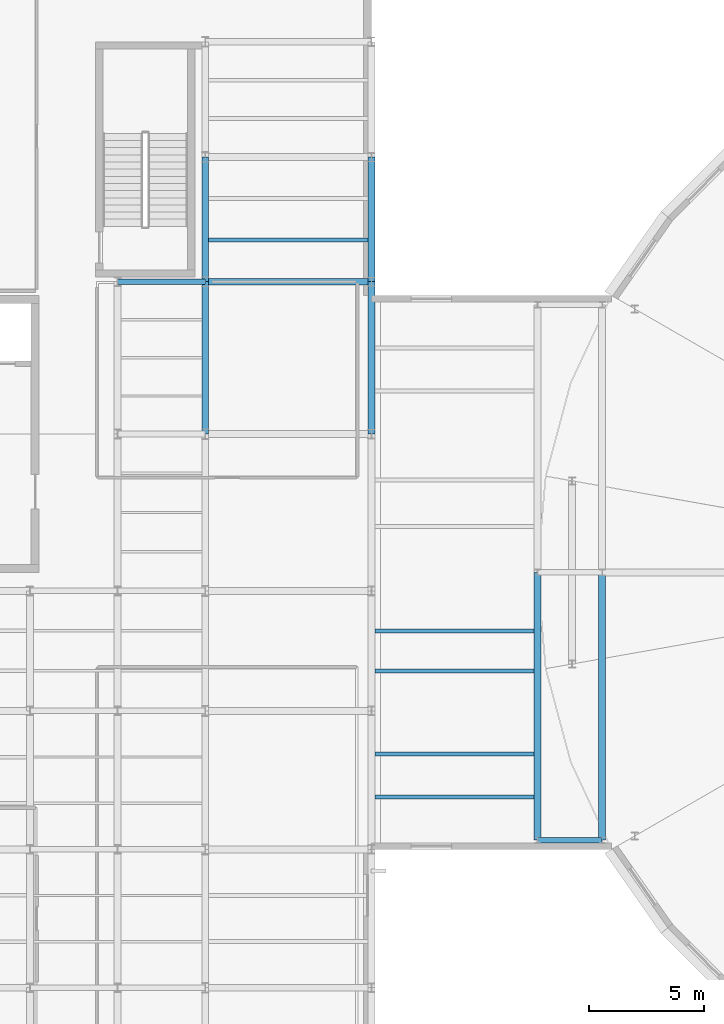
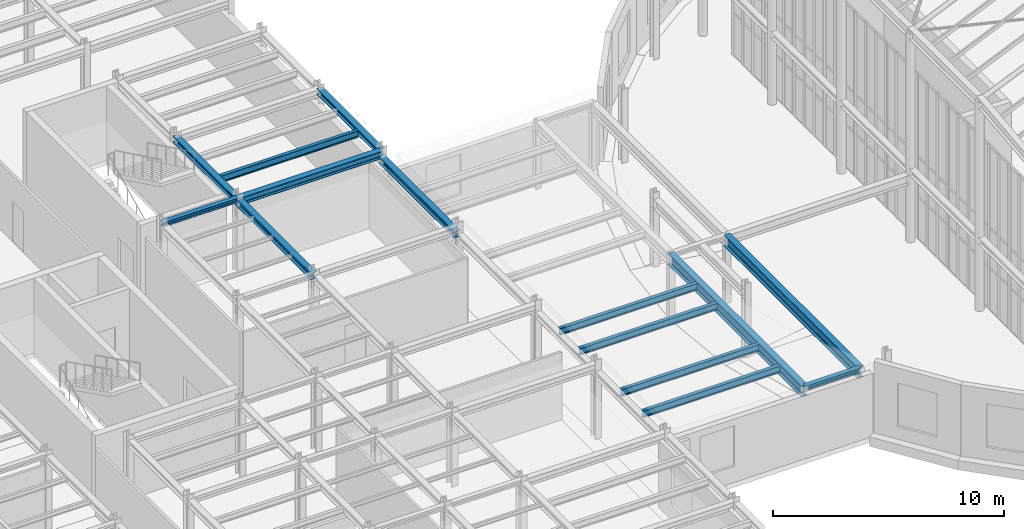
# One storey, part 18 of 75: 14 beams.
"""IFC4 building model written with IfcOpenShell, lengths in metres."""

from ifc_helpers import new_model, si_unit, direction, frame, origin, origin_2d, place, context, subcontext, project, spatial, i_section, extrude, material, material_profile, profile_set, type_object, element, save


model = new_model("IFC4")

# Units and contexts
model_context = context("Model", 3, precision=1e-05, world=origin(), true_north=direction((0.0, 1.0)))
body_context = subcontext(model_context, "Body", "Model", "MODEL_VIEW")
ifc_project = project(units=[si_unit("LENGTHUNIT", "METRE"), si_unit("AREAUNIT", "SQUARE_METRE"), si_unit("VOLUMEUNIT", "CUBIC_METRE"), si_unit("PLANEANGLEUNIT", "RADIAN"), si_unit("MASSUNIT", "GRAM", prefix="KILO")], contexts=[model_context])

# Site, building, storey
site_placement = place(None, origin())
site = spatial("IfcSite", under=ifc_project, at=site_placement, CompositionType="ELEMENT")
building_placement = place(site_placement, origin())
building = spatial("IfcBuilding", under=site, at=building_placement, Name="Kolvaren Corner Interchange", CompositionType="ELEMENT")
storey_placement = place(building_placement, frame((0.0, 0.0, 10.5)))
storey = spatial("IfcBuildingStorey", under=building, at=storey_placement, Name="L03", CompositionType="ELEMENT", Elevation=10.5)

# Beams
ifc_material_1 = material(Name="Steel S355", Category="steel")
ifc_material_profile_1 = material_profile(ifc_material_1, i_section(OverallWidth=0.239990234375, OverallDepth=0.22998046875, WebThickness=0.007568359375, FlangeThickness=0.011962890625, FilletRadius=0.02099609375, at=origin_2d()), Name="HEA 240")
ifc_profile_set_1 = profile_set([ifc_material_profile_1], Name="Steel S355")
beam_type_1 = type_object("IfcBeamType", Name="BM-HEA240", PredefinedType="BEAM", material=ifc_profile_set_1)
beam_1_placement = place(storey_placement, frame((36.0, 36.39990234375, 3.485107421875), z_axis=(1.0, 0.0, 0.0), x_axis=(0.0, 1.0, 0.0)))
element("IfcBeam", 1, at=beam_1_placement, inside=storey, type_object=beam_type_1, Name="Storey L03 Grid X Primary Girder 0855", PredefinedType="BEAM", context=body_context, shape_type="SweptSolid", body=[
    extrude(i_section(OverallWidth=0.239990234375, OverallDepth=0.22998046875, WebThickness=0.007568359375, FlangeThickness=0.011962890625, FilletRadius=0.02099609375, at=origin_2d()), origin(), (0.0, 0.0, 1.0), 2.800048828125),
])
beam_2_placement = place(storey_placement, frame((17.800048828125, 60.60009765625, 3.8349609375), z_axis=(1.0, 0.0, 0.0), x_axis=(0.0, 1.0, 0.0)))
element("IfcBeam", 2, at=beam_2_placement, inside=storey, type_object=beam_type_1, Name="Storey L03 Grid X Primary Girder 0869", PredefinedType="BEAM", context=body_context, shape_type="SweptSolid", body=[
    extrude(i_section(OverallWidth=0.239990234375, OverallDepth=0.22998046875, WebThickness=0.007568359375, FlangeThickness=0.011962890625, FilletRadius=0.02099609375, at=origin_2d()), origin(), (0.0, 0.0, 1.0), 3.800048828125),
])
ifc_material_2 = material(Name="Steel S355", Category="steel")
ifc_material_profile_2 = material_profile(ifc_material_2, i_section(OverallWidth=0.300048828125, OverallDepth=0.31005859375, WebThickness=0.009033203125, FlangeThickness=0.015380859375, FilletRadius=0.027099609375, at=origin_2d()), Name="HEA 320")
ifc_profile_set_2 = profile_set([ifc_material_profile_2], Name="Steel S355")
beam_type_2 = type_object("IfcBeamType", Name="BM-HEA320", PredefinedType="BEAM", material=ifc_profile_set_2)
for number, where, z_axis, x_axis, name in (
    (3, (21.60009765625, 60.60009765625, 3.77490234375), (0.0, 1.0, 0.0), (-1.0, 0.0, 0.0), "Storey L03 Grid Y Primary Girder 0910"),
    (4, (28.800048828125, 60.60009765625, 3.77490234375), (0.0, 1.0, 0.0), (-1.0, 0.0, 0.0), "Storey L03 Grid Y Primary Girder 0918"),
):
    element("IfcBeam", number, at=place(storey_placement, frame(where, z_axis=z_axis, x_axis=x_axis)), inside=storey, type_object=beam_type_2, Name=name, PredefinedType="BEAM", context=body_context, shape_type="SweptSolid", body=[
        extrude(i_section(OverallWidth=0.300048828125, OverallDepth=0.31005859375, WebThickness=0.009033203125, FlangeThickness=0.015380859375, FilletRadius=0.027099609375, at=origin_2d()), origin(), (0.0, 0.0, 1.0), 5.39990234375),
    ])
ifc_material_3 = material(Name="Steel S355", Category="steel")
ifc_material_profile_3 = material_profile(ifc_material_3, i_section(OverallWidth=0.300048828125, OverallDepth=0.35009765625, WebThickness=0.010009765625, FlangeThickness=0.017578125, FilletRadius=0.027099609375, at=origin_2d()), Name="HEA 360")
ifc_profile_set_3 = profile_set([ifc_material_profile_3], Name="Steel S355")
beam_type_3 = type_object("IfcBeamType", Name="BM-HEA360", PredefinedType="BEAM", material=ifc_profile_set_3)
for number, where, z_axis, x_axis, name in (
    (5, (21.60009765625, 54.0, 3.7548828125), (0.0, 1.0, 0.0), (-1.0, 0.0, 0.0), "Storey L03 Grid Y Primary Girder 0909"),
    (6, (28.800048828125, 54.0, 3.425048828125), (0.0, 1.0, 0.0), (-1.0, 0.0, 0.0), "Storey L03 Grid Y Primary Girder 0917"),
):
    element("IfcBeam", number, at=place(storey_placement, frame(where, z_axis=z_axis, x_axis=x_axis)), inside=storey, type_object=beam_type_3, Name=name, PredefinedType="BEAM", context=body_context, shape_type="SweptSolid", body=[
        extrude(i_section(OverallWidth=0.300048828125, OverallDepth=0.35009765625, WebThickness=0.010009765625, FlangeThickness=0.017578125, FilletRadius=0.027099609375, at=origin_2d()), origin(), (0.0, 0.0, 1.0), 6.60009765625),
    ])
ifc_material_4 = material(Name="Steel S355", Category="steel")
ifc_material_profile_4 = material_profile(ifc_material_4, i_section(OverallWidth=0.300048828125, OverallDepth=0.389892578125, WebThickness=0.010986328125, FlangeThickness=0.01904296875, FilletRadius=0.027099609375, at=origin_2d()), Name="HEA 400")
ifc_profile_set_4 = profile_set([ifc_material_profile_4], Name="Steel S355")
beam_type_4 = type_object("IfcBeamType", Name="BM-HEA400", PredefinedType="BEAM", material=ifc_profile_set_4)
beam_3_placement = place(storey_placement, frame((21.60009765625, 60.60009765625, 3.735107421875), z_axis=(1.0, 0.0, 0.0), x_axis=(0.0, 1.0, 0.0)))
element("IfcBeam", 7, at=beam_3_placement, inside=storey, type_object=beam_type_4, Name="Storey L03 Grid X Primary Girder 0870", PredefinedType="BEAM", context=body_context, shape_type="SweptSolid", body=[
    extrude(i_section(OverallWidth=0.300048828125, OverallDepth=0.389892578125, WebThickness=0.010986328125, FlangeThickness=0.01904296875, FilletRadius=0.027099609375, at=origin_2d()), origin(), (0.0, 0.0, 1.0), 7.199951171875),
])
ifc_material_5 = material(Name="Steel S355", Category="steel")
ifc_material_profile_5 = material_profile(ifc_material_5, i_section(OverallWidth=0.300048828125, OverallDepth=0.590087890625, WebThickness=0.012939453125, FlangeThickness=0.02490234375, FilletRadius=0.027099609375, at=origin_2d()), Name="HEA 600")
ifc_profile_set_5 = profile_set([ifc_material_profile_5], Name="Steel S355")
beam_type_5 = type_object("IfcBeamType", Name="BM-HEA600", PredefinedType="BEAM", material=ifc_profile_set_5)
for number, where, z_axis, x_axis, name in (
    (8, (36.0, 36.39990234375, 3.304931640625), (0.0, 1.0, 0.0), (-1.0, 0.0, 0.0), "Storey L03 Grid Y Primary Girder 0920"),
    (9, (38.800048828125, 36.39990234375, 3.304931640625), (0.0, 1.0, 0.0), (-1.0, 0.0, 0.0), "Storey L03 Grid Y Primary Girder 0923"),
):
    element("IfcBeam", number, at=place(storey_placement, frame(where, z_axis=z_axis, x_axis=x_axis)), inside=storey, type_object=beam_type_5, Name=name, PredefinedType="BEAM", context=body_context, shape_type="SweptSolid", body=[
        extrude(i_section(OverallWidth=0.300048828125, OverallDepth=0.590087890625, WebThickness=0.012939453125, FlangeThickness=0.02490234375, FilletRadius=0.027099609375, at=origin_2d()), origin(), (0.0, 0.0, 1.0), 11.60009765625),
    ])
ifc_material_6 = material(Name="Steel S355", Category="steel")
ifc_material_profile_6 = material_profile(ifc_material_6, i_section(OverallWidth=0.169921875, OverallDepth=0.360107421875, WebThickness=0.008056640625, FlangeThickness=0.0126953125, FilletRadius=0.01806640625, at=origin_2d()), Name="IPE 360")
ifc_profile_set_6 = profile_set([ifc_material_profile_6], Name="Steel S355")
beam_type_6 = type_object("IfcBeamType", Name="JS-IPE360", PredefinedType="JOIST", material=ifc_profile_set_6)
beam_4_placement = place(storey_placement, frame((21.75, 62.39990234375, 3.75), z_axis=(1.0, 0.0, 0.0), x_axis=(0.0, 1.0, 0.0)))
element("IfcBeam", 10, at=beam_4_placement, inside=storey, type_object=beam_type_6, Name="Storey L03 Composite Floor Joist 0819", PredefinedType="JOIST", context=body_context, shape_type="SweptSolid", body=[
    extrude(i_section(OverallWidth=0.169921875, OverallDepth=0.360107421875, WebThickness=0.008056640625, FlangeThickness=0.0126953125, FilletRadius=0.01806640625, at=origin_2d()), origin(), (0.0, 0.0, 1.0), 6.89990234375),
])
for number, where, z_axis, x_axis, name in (
    (11, (28.949951171875, 38.2666015625, 3.419921875), (1.0, 0.0, 0.0), (0.0, 1.0, 0.0), "Storey L03 Composite Floor Joist 0823"),
    (12, (28.949951171875, 40.13330078125, 3.419921875), (1.0, 0.0, 0.0), (0.0, 1.0, 0.0), "Storey L03 Composite Floor Joist 0824"),
    (13, (28.949951171875, 43.7333984375, 3.419921875), (1.0, 0.0, 0.0), (0.0, 1.0, 0.0), "Storey L03 Composite Floor Joist 0825"),
    (14, (28.949951171875, 45.466796875, 3.419921875), (1.0, 0.0, 0.0), (0.0, 1.0, 0.0), "Storey L03 Composite Floor Joist 0826"),
):
    element("IfcBeam", number, at=place(storey_placement, frame(where, z_axis=z_axis, x_axis=x_axis)), inside=storey, type_object=beam_type_6, Name=name, PredefinedType="JOIST", context=body_context, shape_type="SweptSolid", body=[
        extrude(i_section(OverallWidth=0.169921875, OverallDepth=0.360107421875, WebThickness=0.008056640625, FlangeThickness=0.0126953125, FilletRadius=0.01806640625, at=origin_2d()), origin(), (0.0, 0.0, 1.0), 6.900146484375),
    ])

save(model, "model.ifc")
